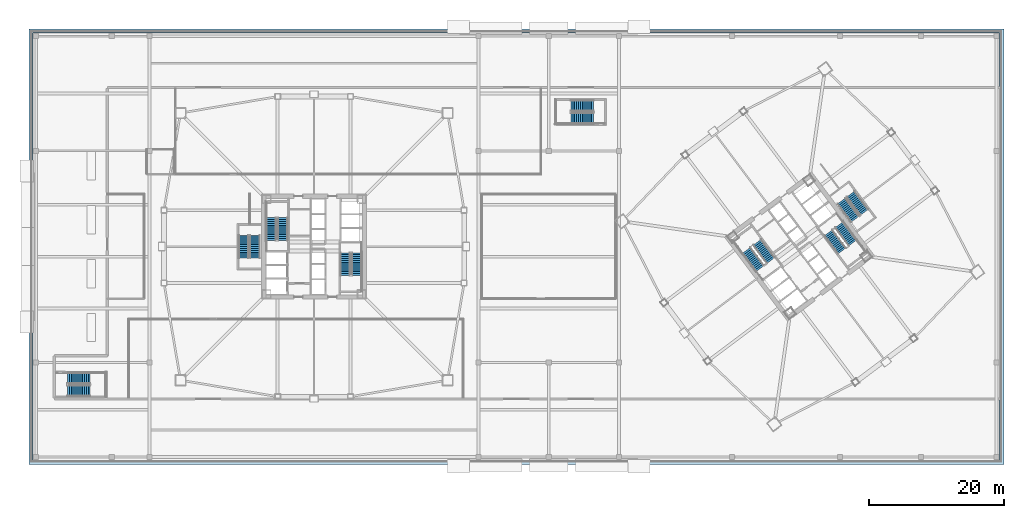
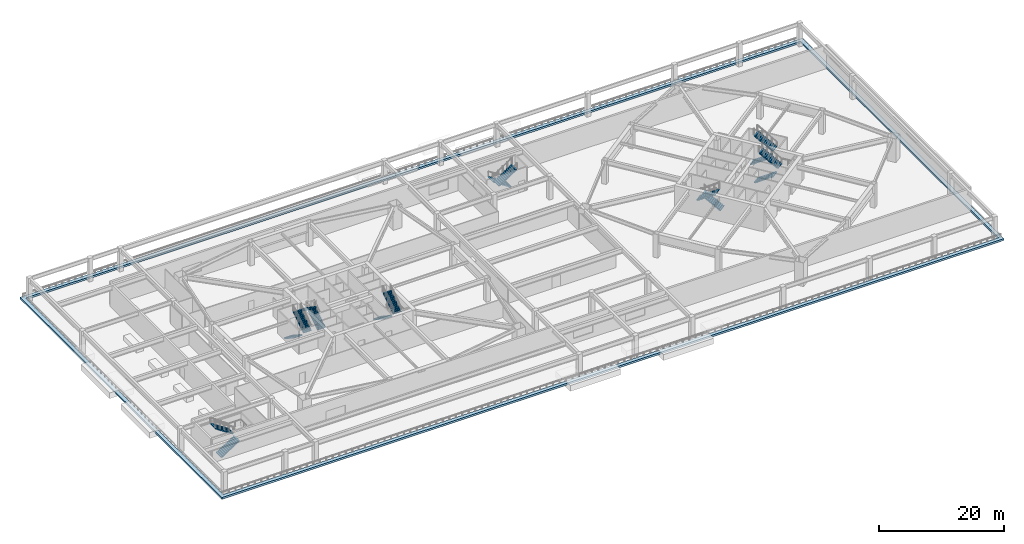
# One storey, part 12 of 21: 16 stair flights, 1 roof, 8 elements without a shape of their own.
"""IFC4 building model written with IfcOpenShell, lengths in metres."""

from ifc_helpers import new_model, si_unit, direction, frame, origin, place, context, subcontext, project, spatial, polyline, outline, extrude, material, layer, layer_set, type_object, element, aggregate, save


model = new_model("IFC4")

# Units and contexts
model_context = context("Model", 3, precision=1e-05, world=origin(), true_north=direction((0.0, 1.0)))
body_context = subcontext(model_context, "Body", "Model", "MODEL_VIEW")
ifc_project = project(units=[si_unit("LENGTHUNIT", "METRE"), si_unit("AREAUNIT", "SQUARE_METRE"), si_unit("VOLUMEUNIT", "CUBIC_METRE"), si_unit("PLANEANGLEUNIT", "RADIAN"), si_unit("MASSUNIT", "GRAM", prefix="KILO")], contexts=[model_context])

# Site, building, storey
site_placement = place(None, origin())
site = spatial("IfcSite", under=ifc_project, at=site_placement, CompositionType="ELEMENT")
building_placement = place(site_placement, origin())
building = spatial("IfcBuilding", under=site, at=building_placement, Name="Tashvorn Skyway Center", CompositionType="ELEMENT")
storey_placement = place(building_placement, frame((0.0, 0.0, 19.800048828125)))
storey = spatial("IfcBuildingStorey", under=building, at=storey_placement, Name="L04", CompositionType="ELEMENT", Elevation=19.800048828125)

# Stair, stair flights
ifc_material_1 = material(Name="Concrete C40/50", Category="concrete")
stair_type_1 = type_object("IfcStairType", Name="STAIR-CORE-1500", PredefinedType="HALF_TURN_STAIR", material=ifc_material_1)
stair_1_placement = place(storey_placement, origin())
stair_1 = element("IfcStair", 1, at=stair_1_placement, inside=storey, type_object=stair_type_1, Name="L04 Tower 1 Exit Stair 1", PredefinedType="HALF_TURN_STAIR")
stair_flight_type_1 = type_object("IfcStairFlightType", Name="SFLIGHT-1500", PredefinedType="STRAIGHT", material=ifc_material_1)
stair_flight_1_placement = place(storey_placement, frame((37.35009765625, 32.919921875, 0.0), z_axis=(0.0, 0.0, 1.0), x_axis=(0.0, 1.0, 0.0)))
stair_flight_1 = element("IfcStairFlight", 2, at=stair_flight_1_placement, type_object=stair_flight_type_1, Name="ST-T1-1 flight 1", NumberOfRisers=13, NumberOfTreads=12, PredefinedType="STRAIGHT", RiserHeight=0.184615385, TreadLength=0.28, context=body_context, shape_type="SweptSolid", body=[
    extrude(outline(polyline([(0.0, 0.0), (0.0, 0.1845703125), (0.280029296875, 0.1845703125), (0.280029296875, 0.369140625), (0.56005859375, 0.369140625), (0.56005859375, 0.553955078125), (0.840087890625, 0.553955078125), (0.840087890625, 0.738525390625), (1.1201171875, 0.738525390625), (1.1201171875, 0.923095703125), (1.39990234375, 0.923095703125), (1.39990234375, 1.107666015625), (1.679931640625, 1.107666015625), (1.679931640625, 1.292236328125), (1.9599609375, 1.292236328125), (1.9599609375, 1.476806640625), (2.239990234375, 1.476806640625), (2.239990234375, 1.66162109375), (2.52001953125, 1.66162109375), (2.52001953125, 1.84619140625), (2.800048828125, 1.84619140625), (2.800048828125, 2.03076171875), (3.080078125, 2.03076171875), (3.080078125, 2.21533203125), (3.360107421875, 2.21533203125), (3.360107421875, 2.39990234375), (3.360107421875, 2.035888671875), (0.272216796875, 0.0), (0.0, 0.0)])), frame((0.0, 0.75, 0.0), z_axis=(0.0, -1.0, 0.0), x_axis=(1.0, 0.0, 0.0)), (0.0, 0.0, 1.0), 1.5),
])
stair_flight_2_placement = place(storey_placement, frame((35.64990234375, 36.280029296875, 2.39990234375), z_axis=(0.0, 0.0, 1.0), x_axis=(0.0, -1.0, 0.0)))
stair_flight_2 = element("IfcStairFlight", 3, at=stair_flight_2_placement, type_object=stair_flight_type_1, Name="ST-T1-1 flight 2", NumberOfRisers=13, NumberOfTreads=12, PredefinedType="STRAIGHT", RiserHeight=0.184615385, TreadLength=0.28, context=body_context, shape_type="SweptSolid", body=[
    extrude(outline(polyline([(0.0, 0.0), (0.0, 0.1845703125), (0.280029296875, 0.1845703125), (0.280029296875, 0.369140625), (0.56005859375, 0.369140625), (0.56005859375, 0.553955078125), (0.840087890625, 0.553955078125), (0.840087890625, 0.738525390625), (1.1201171875, 0.738525390625), (1.1201171875, 0.923095703125), (1.39990234375, 0.923095703125), (1.39990234375, 1.107666015625), (1.679931640625, 1.107666015625), (1.679931640625, 1.292236328125), (1.9599609375, 1.292236328125), (1.9599609375, 1.476806640625), (2.239990234375, 1.476806640625), (2.239990234375, 1.66162109375), (2.52001953125, 1.66162109375), (2.52001953125, 1.84619140625), (2.800048828125, 1.84619140625), (2.800048828125, 2.03076171875), (3.080078125, 2.03076171875), (3.080078125, 2.21533203125), (3.360107421875, 2.21533203125), (3.360107421875, 2.39990234375), (3.360107421875, 2.035888671875), (0.272216796875, 0.0), (0.0, 0.0)])), frame((0.0, 0.75, 0.0), z_axis=(0.0, -1.0, 0.0), x_axis=(1.0, 0.0, 0.0)), (0.0, 0.0, 1.0), 1.5),
])
aggregate(stair_1, [stair_flight_1, stair_flight_2])

stair_2_placement = place(storey_placement, origin())
stair_2 = element("IfcStair", 4, at=stair_2_placement, inside=storey, type_object=stair_type_1, Name="L04 Tower 1 Exit Stair 2", PredefinedType="HALF_TURN_STAIR")
stair_flight_3_placement = place(storey_placement, frame((46.64990234375, 31.080078125, 0.0), z_axis=(0.0, 0.0, 1.0), x_axis=(0.0, -1.0, 0.0)))
stair_flight_3 = element("IfcStairFlight", 5, at=stair_flight_3_placement, type_object=stair_flight_type_1, Name="ST-T1-2 flight 1", NumberOfRisers=13, NumberOfTreads=12, PredefinedType="STRAIGHT", RiserHeight=0.184615385, TreadLength=0.28, context=body_context, shape_type="SweptSolid", body=[
    extrude(outline(polyline([(0.0, 0.0), (0.0, 0.1845703125), (0.280029296875, 0.1845703125), (0.280029296875, 0.369140625), (0.56005859375, 0.369140625), (0.56005859375, 0.553955078125), (0.840087890625, 0.553955078125), (0.840087890625, 0.738525390625), (1.1201171875, 0.738525390625), (1.1201171875, 0.923095703125), (1.39990234375, 0.923095703125), (1.39990234375, 1.107666015625), (1.679931640625, 1.107666015625), (1.679931640625, 1.292236328125), (1.9599609375, 1.292236328125), (1.9599609375, 1.476806640625), (2.239990234375, 1.476806640625), (2.239990234375, 1.66162109375), (2.52001953125, 1.66162109375), (2.52001953125, 1.84619140625), (2.800048828125, 1.84619140625), (2.800048828125, 2.03076171875), (3.080078125, 2.03076171875), (3.080078125, 2.21533203125), (3.360107421875, 2.21533203125), (3.360107421875, 2.39990234375), (3.360107421875, 2.035888671875), (0.272216796875, 0.0), (0.0, 0.0)])), frame((0.0, 0.75, 0.0), z_axis=(0.0, -1.0, 0.0), x_axis=(1.0, 0.0, 0.0)), (0.0, 0.0, 1.0), 1.5),
])
stair_flight_4_placement = place(storey_placement, frame((48.35009765625, 27.719970703125, 2.39990234375), z_axis=(0.0, 0.0, 1.0), x_axis=(0.0, 1.0, 0.0)))
stair_flight_4 = element("IfcStairFlight", 6, at=stair_flight_4_placement, type_object=stair_flight_type_1, Name="ST-T1-2 flight 2", NumberOfRisers=13, NumberOfTreads=12, PredefinedType="STRAIGHT", RiserHeight=0.184615385, TreadLength=0.28, context=body_context, shape_type="SweptSolid", body=[
    extrude(outline(polyline([(0.0, 0.0), (0.0, 0.1845703125), (0.280029296875, 0.1845703125), (0.280029296875, 0.369140625), (0.56005859375, 0.369140625), (0.56005859375, 0.553955078125), (0.840087890625, 0.553955078125), (0.840087890625, 0.738525390625), (1.1201171875, 0.738525390625), (1.1201171875, 0.923095703125), (1.39990234375, 0.923095703125), (1.39990234375, 1.107666015625), (1.679931640625, 1.107666015625), (1.679931640625, 1.292236328125), (1.9599609375, 1.292236328125), (1.9599609375, 1.476806640625), (2.239990234375, 1.476806640625), (2.239990234375, 1.66162109375), (2.52001953125, 1.66162109375), (2.52001953125, 1.84619140625), (2.800048828125, 1.84619140625), (2.800048828125, 2.03076171875), (3.080078125, 2.03076171875), (3.080078125, 2.21533203125), (3.360107421875, 2.21533203125), (3.360107421875, 2.39990234375), (3.360107421875, 2.035888671875), (0.272216796875, 0.0), (0.0, 0.0)])), frame((0.0, 0.75, 0.0), z_axis=(0.0, -1.0, 0.0), x_axis=(1.0, 0.0, 0.0)), (0.0, 0.0, 1.0), 1.5),
])
aggregate(stair_2, [stair_flight_3, stair_flight_4])

stair_3_placement = place(storey_placement, origin())
stair_3 = element("IfcStair", 7, at=stair_3_placement, inside=storey, type_object=stair_type_1, Name="L04 Tower 2 Exit Stair 1", PredefinedType="HALF_TURN_STAIR")
stair_flight_5_placement = place(storey_placement, frame((109.72802734375, 29.946044921875, 0.0), z_axis=(0.0, 0.0, 1.0), x_axis=(-0.600000004945, 0.799999996291, 0.0)))
stair_flight_5 = element("IfcStairFlight", 8, at=stair_flight_5_placement, type_object=stair_flight_type_1, Name="ST-T2-1 flight 1", NumberOfRisers=13, NumberOfTreads=12, PredefinedType="STRAIGHT", RiserHeight=0.184615385, TreadLength=0.28, context=body_context, shape_type="SweptSolid", body=[
    extrude(outline(polyline([(0.0, 0.0), (0.0, 0.1845703125), (0.280029296875, 0.1845703125), (0.280029296875, 0.369140625), (0.56005859375, 0.369140625), (0.56005859375, 0.553955078125), (0.840087890625, 0.553955078125), (0.840087890625, 0.738525390625), (1.1201171875, 0.738525390625), (1.1201171875, 0.923095703125), (1.39990234375, 0.923095703125), (1.39990234375, 1.107666015625), (1.679931640625, 1.107666015625), (1.679931640625, 1.292236328125), (1.9599609375, 1.292236328125), (1.9599609375, 1.476806640625), (2.239990234375, 1.476806640625), (2.239990234375, 1.66162109375), (2.52001953125, 1.66162109375), (2.52001953125, 1.84619140625), (2.800048828125, 1.84619140625), (2.800048828125, 2.03076171875), (3.080078125, 2.03076171875), (3.080078125, 2.21533203125), (3.360107421875, 2.21533203125), (3.360107421875, 2.39990234375), (3.360107421875, 2.035888671875), (0.272216796875, 0.0), (0.0, 0.0)])), frame((0.0, 0.75, 0.0), z_axis=(0.0, -1.0, 0.0), x_axis=(1.0, 0.0, 0.0)), (0.0, 0.0, 1.0), 1.5),
])
stair_flight_6_placement = place(storey_placement, frame((106.1279296875, 31.446044921875, 2.39990234375), z_axis=(0.0, 0.0, 1.0), x_axis=(0.600000004945, -0.799999996291, 0.0)))
stair_flight_6 = element("IfcStairFlight", 9, at=stair_flight_6_placement, type_object=stair_flight_type_1, Name="ST-T2-1 flight 2", NumberOfRisers=13, NumberOfTreads=12, PredefinedType="STRAIGHT", RiserHeight=0.184615385, TreadLength=0.28, context=body_context, shape_type="SweptSolid", body=[
    extrude(outline(polyline([(0.0, 0.0), (0.0, 0.1845703125), (0.280029296875, 0.1845703125), (0.280029296875, 0.369140625), (0.56005859375, 0.369140625), (0.56005859375, 0.553955078125), (0.840087890625, 0.553955078125), (0.840087890625, 0.738525390625), (1.1201171875, 0.738525390625), (1.1201171875, 0.923095703125), (1.39990234375, 0.923095703125), (1.39990234375, 1.107666015625), (1.679931640625, 1.107666015625), (1.679931640625, 1.292236328125), (1.9599609375, 1.292236328125), (1.9599609375, 1.476806640625), (2.239990234375, 1.476806640625), (2.239990234375, 1.66162109375), (2.52001953125, 1.66162109375), (2.52001953125, 1.84619140625), (2.800048828125, 1.84619140625), (2.800048828125, 2.03076171875), (3.080078125, 2.03076171875), (3.080078125, 2.21533203125), (3.360107421875, 2.21533203125), (3.360107421875, 2.39990234375), (3.360107421875, 2.035888671875), (0.272216796875, 0.0), (0.0, 0.0)])), frame((0.0, 0.75, 0.0), z_axis=(0.0, -1.0, 0.0), x_axis=(1.0, 0.0, 0.0)), (0.0, 0.0, 1.0), 1.5),
])
aggregate(stair_3, [stair_flight_5, stair_flight_6])

stair_4_placement = place(storey_placement, origin())
stair_4 = element("IfcStair", 10, at=stair_4_placement, inside=storey, type_object=stair_type_1, Name="L04 Tower 2 Exit Stair 2", PredefinedType="HALF_TURN_STAIR")
stair_flight_7_placement = place(storey_placement, frame((118.27197265625, 34.053955078125, 0.0), z_axis=(0.0, 0.0, 1.0), x_axis=(0.600000004945, -0.799999996291, 0.0)))
stair_flight_7 = element("IfcStairFlight", 11, at=stair_flight_7_placement, type_object=stair_flight_type_1, Name="ST-T2-2 flight 1", NumberOfRisers=13, NumberOfTreads=12, PredefinedType="STRAIGHT", RiserHeight=0.184615385, TreadLength=0.28, context=body_context, shape_type="SweptSolid", body=[
    extrude(outline(polyline([(0.0, 0.0), (0.0, 0.1845703125), (0.280029296875, 0.1845703125), (0.280029296875, 0.369140625), (0.56005859375, 0.369140625), (0.56005859375, 0.553955078125), (0.840087890625, 0.553955078125), (0.840087890625, 0.738525390625), (1.1201171875, 0.738525390625), (1.1201171875, 0.923095703125), (1.39990234375, 0.923095703125), (1.39990234375, 1.107666015625), (1.679931640625, 1.107666015625), (1.679931640625, 1.292236328125), (1.9599609375, 1.292236328125), (1.9599609375, 1.476806640625), (2.239990234375, 1.476806640625), (2.239990234375, 1.66162109375), (2.52001953125, 1.66162109375), (2.52001953125, 1.84619140625), (2.800048828125, 1.84619140625), (2.800048828125, 2.03076171875), (3.080078125, 2.03076171875), (3.080078125, 2.21533203125), (3.360107421875, 2.21533203125), (3.360107421875, 2.39990234375), (3.360107421875, 2.035888671875), (0.272216796875, 0.0), (0.0, 0.0)])), frame((0.0, 0.75, 0.0), z_axis=(0.0, -1.0, 0.0), x_axis=(1.0, 0.0, 0.0)), (0.0, 0.0, 1.0), 1.5),
])
stair_flight_8_placement = place(storey_placement, frame((121.8720703125, 32.553955078125, 2.39990234375), z_axis=(0.0, 0.0, 1.0), x_axis=(-0.600000004945, 0.799999996291, 0.0)))
stair_flight_8 = element("IfcStairFlight", 12, at=stair_flight_8_placement, type_object=stair_flight_type_1, Name="ST-T2-2 flight 2", NumberOfRisers=13, NumberOfTreads=12, PredefinedType="STRAIGHT", RiserHeight=0.184615385, TreadLength=0.28, context=body_context, shape_type="SweptSolid", body=[
    extrude(outline(polyline([(0.0, 0.0), (0.0, 0.1845703125), (0.280029296875, 0.1845703125), (0.280029296875, 0.369140625), (0.56005859375, 0.369140625), (0.56005859375, 0.553955078125), (0.840087890625, 0.553955078125), (0.840087890625, 0.738525390625), (1.1201171875, 0.738525390625), (1.1201171875, 0.923095703125), (1.39990234375, 0.923095703125), (1.39990234375, 1.107666015625), (1.679931640625, 1.107666015625), (1.679931640625, 1.292236328125), (1.9599609375, 1.292236328125), (1.9599609375, 1.476806640625), (2.239990234375, 1.476806640625), (2.239990234375, 1.66162109375), (2.52001953125, 1.66162109375), (2.52001953125, 1.84619140625), (2.800048828125, 1.84619140625), (2.800048828125, 2.03076171875), (3.080078125, 2.03076171875), (3.080078125, 2.21533203125), (3.360107421875, 2.21533203125), (3.360107421875, 2.39990234375), (3.360107421875, 2.035888671875), (0.272216796875, 0.0), (0.0, 0.0)])), frame((0.0, 0.75, 0.0), z_axis=(0.0, -1.0, 0.0), x_axis=(1.0, 0.0, 0.0)), (0.0, 0.0, 1.0), 1.5),
])
aggregate(stair_4, [stair_flight_7, stair_flight_8])

stair_5_placement = place(storey_placement, origin())
stair_5 = element("IfcStair", 13, at=stair_5_placement, inside=storey, type_object=stair_type_1, Name="L04 Tower 1 Exit Stair 3", PredefinedType="HALF_TURN_STAIR")
stair_flight_9_placement = place(storey_placement, frame((31.550048828125, 33.679931640625, 0.0), z_axis=(0.0, 0.0, 1.0), x_axis=(0.0, -1.0, 0.0)))
stair_flight_9 = element("IfcStairFlight", 14, at=stair_flight_9_placement, type_object=stair_flight_type_1, Name="ST-T1-3 flight 1", NumberOfRisers=13, NumberOfTreads=12, PredefinedType="STRAIGHT", RiserHeight=0.184615385, TreadLength=0.28, context=body_context, shape_type="SweptSolid", body=[
    extrude(outline(polyline([(0.0, 0.0), (0.0, 0.1845703125), (0.280029296875, 0.1845703125), (0.280029296875, 0.369140625), (0.56005859375, 0.369140625), (0.56005859375, 0.553955078125), (0.840087890625, 0.553955078125), (0.840087890625, 0.738525390625), (1.1201171875, 0.738525390625), (1.1201171875, 0.923095703125), (1.39990234375, 0.923095703125), (1.39990234375, 1.107666015625), (1.679931640625, 1.107666015625), (1.679931640625, 1.292236328125), (1.9599609375, 1.292236328125), (1.9599609375, 1.476806640625), (2.239990234375, 1.476806640625), (2.239990234375, 1.66162109375), (2.52001953125, 1.66162109375), (2.52001953125, 1.84619140625), (2.800048828125, 1.84619140625), (2.800048828125, 2.03076171875), (3.080078125, 2.03076171875), (3.080078125, 2.21533203125), (3.360107421875, 2.21533203125), (3.360107421875, 2.39990234375), (3.360107421875, 2.035888671875), (0.272216796875, 0.0), (0.0, 0.0)])), frame((0.0, 0.75, 0.0), z_axis=(0.0, -1.0, 0.0), x_axis=(1.0, 0.0, 0.0)), (0.0, 0.0, 1.0), 1.5),
])
stair_flight_10_placement = place(storey_placement, frame((33.25, 30.320068359375, 2.39990234375), z_axis=(0.0, 0.0, 1.0), x_axis=(0.0, 1.0, 0.0)))
stair_flight_10 = element("IfcStairFlight", 15, at=stair_flight_10_placement, type_object=stair_flight_type_1, Name="ST-T1-3 flight 2", NumberOfRisers=13, NumberOfTreads=12, PredefinedType="STRAIGHT", RiserHeight=0.184615385, TreadLength=0.28, context=body_context, shape_type="SweptSolid", body=[
    extrude(outline(polyline([(0.0, 0.0), (0.0, 0.1845703125), (0.280029296875, 0.1845703125), (0.280029296875, 0.369140625), (0.56005859375, 0.369140625), (0.56005859375, 0.553955078125), (0.840087890625, 0.553955078125), (0.840087890625, 0.738525390625), (1.1201171875, 0.738525390625), (1.1201171875, 0.923095703125), (1.39990234375, 0.923095703125), (1.39990234375, 1.107666015625), (1.679931640625, 1.107666015625), (1.679931640625, 1.292236328125), (1.9599609375, 1.292236328125), (1.9599609375, 1.476806640625), (2.239990234375, 1.476806640625), (2.239990234375, 1.66162109375), (2.52001953125, 1.66162109375), (2.52001953125, 1.84619140625), (2.800048828125, 1.84619140625), (2.800048828125, 2.03076171875), (3.080078125, 2.03076171875), (3.080078125, 2.21533203125), (3.360107421875, 2.21533203125), (3.360107421875, 2.39990234375), (3.360107421875, 2.035888671875), (0.272216796875, 0.0), (0.0, 0.0)])), frame((0.0, 0.75, 0.0), z_axis=(0.0, -1.0, 0.0), x_axis=(1.0, 0.0, 0.0)), (0.0, 0.0, 1.0), 1.5),
])
aggregate(stair_5, [stair_flight_9, stair_flight_10])

stair_6_placement = place(storey_placement, origin())
stair_6 = element("IfcStair", 16, at=stair_6_placement, inside=storey, type_object=stair_type_1, Name="L04 Tower 2 Exit Stair 3", PredefinedType="HALF_TURN_STAIR")
stair_flight_11_placement = place(storey_placement, frame((120.216064453125, 38.761962890625, 0.0), z_axis=(0.0, 0.0, 1.0), x_axis=(0.600000004945, -0.799999996291, 0.0)))
stair_flight_11 = element("IfcStairFlight", 17, at=stair_flight_11_placement, type_object=stair_flight_type_1, Name="ST-T2-3 flight 1", NumberOfRisers=13, NumberOfTreads=12, PredefinedType="STRAIGHT", RiserHeight=0.184615385, TreadLength=0.28, context=body_context, shape_type="SweptSolid", body=[
    extrude(outline(polyline([(0.0, 0.0), (0.0, 0.1845703125), (0.280029296875, 0.1845703125), (0.280029296875, 0.369140625), (0.56005859375, 0.369140625), (0.56005859375, 0.553955078125), (0.840087890625, 0.553955078125), (0.840087890625, 0.738525390625), (1.1201171875, 0.738525390625), (1.1201171875, 0.923095703125), (1.39990234375, 0.923095703125), (1.39990234375, 1.107666015625), (1.679931640625, 1.107666015625), (1.679931640625, 1.292236328125), (1.9599609375, 1.292236328125), (1.9599609375, 1.476806640625), (2.239990234375, 1.476806640625), (2.239990234375, 1.66162109375), (2.52001953125, 1.66162109375), (2.52001953125, 1.84619140625), (2.800048828125, 1.84619140625), (2.800048828125, 2.03076171875), (3.080078125, 2.03076171875), (3.080078125, 2.21533203125), (3.360107421875, 2.21533203125), (3.360107421875, 2.39990234375), (3.360107421875, 2.035888671875), (0.272216796875, 0.0), (0.0, 0.0)])), frame((0.0, 0.75, 0.0), z_axis=(0.0, -1.0, 0.0), x_axis=(1.0, 0.0, 0.0)), (0.0, 0.0, 1.0), 1.5),
])
stair_flight_12_placement = place(storey_placement, frame((123.592041015625, 37.093994140625, 2.39990234375), z_axis=(0.0, 0.0, 1.0), x_axis=(-0.600000004945, 0.799999996291, 0.0)))
stair_flight_12 = element("IfcStairFlight", 18, at=stair_flight_12_placement, type_object=stair_flight_type_1, Name="ST-T2-3 flight 2", NumberOfRisers=13, NumberOfTreads=12, PredefinedType="STRAIGHT", RiserHeight=0.184615385, TreadLength=0.28, context=body_context, shape_type="SweptSolid", body=[
    extrude(outline(polyline([(0.0, 0.0), (0.0, 0.1845703125), (0.280029296875, 0.1845703125), (0.280029296875, 0.369140625), (0.56005859375, 0.369140625), (0.56005859375, 0.553955078125), (0.840087890625, 0.553955078125), (0.840087890625, 0.738525390625), (1.1201171875, 0.738525390625), (1.1201171875, 0.923095703125), (1.39990234375, 0.923095703125), (1.39990234375, 1.107666015625), (1.679931640625, 1.107666015625), (1.679931640625, 1.292236328125), (1.9599609375, 1.292236328125), (1.9599609375, 1.476806640625), (2.239990234375, 1.476806640625), (2.239990234375, 1.66162109375), (2.52001953125, 1.66162109375), (2.52001953125, 1.84619140625), (2.800048828125, 1.84619140625), (2.800048828125, 2.03076171875), (3.080078125, 2.03076171875), (3.080078125, 2.21533203125), (3.360107421875, 2.21533203125), (3.360107421875, 2.39990234375), (3.360107421875, 2.035888671875), (0.272216796875, 0.0), (0.0, 0.0)])), frame((0.0, 0.75, 0.0), z_axis=(0.0, -1.0, 0.0), x_axis=(1.0, 0.0, 0.0)), (0.0, 0.0, 1.0), 1.5),
])
aggregate(stair_6, [stair_flight_11, stair_flight_12])

stair_type_2 = type_object("IfcStairType", Name="STAIR-POD-1650", PredefinedType="HALF_TURN_STAIR", material=ifc_material_1)
stair_7_placement = place(storey_placement, origin())
stair_7 = element("IfcStair", 19, at=stair_7_placement, inside=storey, type_object=stair_type_2, Name="L04 Podium West Exit Stair 1", PredefinedType="HALF_TURN_STAIR")
stair_flight_type_2 = type_object("IfcStairFlightType", Name="SFLIGHT-1650", PredefinedType="STRAIGHT", material=ifc_material_1)
stair_flight_13_placement = place(storey_placement, frame((5.449951171875, 10.625, 0.0), z_axis=(0.0, 0.0, 1.0), x_axis=(1.0, 0.0, 0.0)))
stair_flight_13 = element("IfcStairFlight", 20, at=stair_flight_13_placement, type_object=stair_flight_type_2, Name="ST-POD-1 flight 1", NumberOfRisers=13, NumberOfTreads=12, PredefinedType="STRAIGHT", RiserHeight=0.184615385, TreadLength=0.28, context=body_context, shape_type="SweptSolid", body=[
    extrude(outline(polyline([(0.0, 0.0), (0.0, 0.1845703125), (0.280029296875, 0.1845703125), (0.280029296875, 0.369140625), (0.56005859375, 0.369140625), (0.56005859375, 0.553955078125), (0.840087890625, 0.553955078125), (0.840087890625, 0.738525390625), (1.1201171875, 0.738525390625), (1.1201171875, 0.923095703125), (1.39990234375, 0.923095703125), (1.39990234375, 1.107666015625), (1.679931640625, 1.107666015625), (1.679931640625, 1.292236328125), (1.9599609375, 1.292236328125), (1.9599609375, 1.476806640625), (2.239990234375, 1.476806640625), (2.239990234375, 1.66162109375), (2.52001953125, 1.66162109375), (2.52001953125, 1.84619140625), (2.800048828125, 1.84619140625), (2.800048828125, 2.03076171875), (3.080078125, 2.03076171875), (3.080078125, 2.21533203125), (3.360107421875, 2.21533203125), (3.360107421875, 2.39990234375), (3.360107421875, 2.035888671875), (0.272216796875, 0.0), (0.0, 0.0)])), frame((0.0, 0.824951171875, 0.0), z_axis=(0.0, -1.0, 0.0), x_axis=(1.0, 0.0, 0.0)), (0.0, 0.0, 1.0), 1.64990234375),
])
stair_flight_14_placement = place(storey_placement, frame((8.81005859375, 12.47509765625, 2.39990234375), z_axis=(0.0, 0.0, 1.0), x_axis=(-1.0, 0.0, 0.0)))
stair_flight_14 = element("IfcStairFlight", 21, at=stair_flight_14_placement, type_object=stair_flight_type_2, Name="ST-POD-1 flight 2", NumberOfRisers=13, NumberOfTreads=12, PredefinedType="STRAIGHT", RiserHeight=0.184615385, TreadLength=0.28, context=body_context, shape_type="SweptSolid", body=[
    extrude(outline(polyline([(0.0, 0.0), (0.0, 0.1845703125), (0.280029296875, 0.1845703125), (0.280029296875, 0.369140625), (0.56005859375, 0.369140625), (0.56005859375, 0.553955078125), (0.840087890625, 0.553955078125), (0.840087890625, 0.738525390625), (1.1201171875, 0.738525390625), (1.1201171875, 0.923095703125), (1.39990234375, 0.923095703125), (1.39990234375, 1.107666015625), (1.679931640625, 1.107666015625), (1.679931640625, 1.292236328125), (1.9599609375, 1.292236328125), (1.9599609375, 1.476806640625), (2.239990234375, 1.476806640625), (2.239990234375, 1.66162109375), (2.52001953125, 1.66162109375), (2.52001953125, 1.84619140625), (2.800048828125, 1.84619140625), (2.800048828125, 2.03076171875), (3.080078125, 2.03076171875), (3.080078125, 2.21533203125), (3.360107421875, 2.21533203125), (3.360107421875, 2.39990234375), (3.360107421875, 2.035888671875), (0.272216796875, 0.0), (0.0, 0.0)])), frame((0.0, 0.824951171875, 0.0), z_axis=(0.0, -1.0, 0.0), x_axis=(1.0, 0.0, 0.0)), (0.0, 0.0, 1.0), 1.64990234375),
])
aggregate(stair_7, [stair_flight_13, stair_flight_14])

stair_8_placement = place(storey_placement, origin())
stair_8 = element("IfcStair", 22, at=stair_8_placement, inside=storey, type_object=stair_type_2, Name="L04 Podium East Exit Stair 2", PredefinedType="HALF_TURN_STAIR")
stair_flight_15_placement = place(storey_placement, frame((83.449951171875, 52.875, 0.0), z_axis=(0.0, 0.0, 1.0), x_axis=(-1.0, 0.0, 0.0)))
stair_flight_15 = element("IfcStairFlight", 23, at=stair_flight_15_placement, type_object=stair_flight_type_2, Name="ST-POD-2 flight 1", NumberOfRisers=13, NumberOfTreads=12, PredefinedType="STRAIGHT", RiserHeight=0.184615385, TreadLength=0.28, context=body_context, shape_type="SweptSolid", body=[
    extrude(outline(polyline([(0.0, 0.0), (0.0, 0.1845703125), (0.280029296875, 0.1845703125), (0.280029296875, 0.369140625), (0.56005859375, 0.369140625), (0.56005859375, 0.553955078125), (0.840087890625, 0.553955078125), (0.840087890625, 0.738525390625), (1.1201171875, 0.738525390625), (1.1201171875, 0.923095703125), (1.39990234375, 0.923095703125), (1.39990234375, 1.107666015625), (1.679931640625, 1.107666015625), (1.679931640625, 1.292236328125), (1.9599609375, 1.292236328125), (1.9599609375, 1.476806640625), (2.239990234375, 1.476806640625), (2.239990234375, 1.66162109375), (2.52001953125, 1.66162109375), (2.52001953125, 1.84619140625), (2.800048828125, 1.84619140625), (2.800048828125, 2.03076171875), (3.080078125, 2.03076171875), (3.080078125, 2.21533203125), (3.360107421875, 2.21533203125), (3.360107421875, 2.39990234375), (3.360107421875, 2.035888671875), (0.272216796875, 0.0), (0.0, 0.0)])), frame((0.0, 0.824951171875, 0.0), z_axis=(0.0, -1.0, 0.0), x_axis=(1.0, 0.0, 0.0)), (0.0, 0.0, 1.0), 1.64990234375),
])
stair_flight_16_placement = place(storey_placement, frame((80.090087890625, 51.02490234375, 2.39990234375), z_axis=(0.0, 0.0, 1.0), x_axis=(1.0, 0.0, 0.0)))
stair_flight_16 = element("IfcStairFlight", 24, at=stair_flight_16_placement, type_object=stair_flight_type_2, Name="ST-POD-2 flight 2", NumberOfRisers=13, NumberOfTreads=12, PredefinedType="STRAIGHT", RiserHeight=0.184615385, TreadLength=0.28, context=body_context, shape_type="SweptSolid", body=[
    extrude(outline(polyline([(0.0, 0.0), (0.0, 0.1845703125), (0.280029296875, 0.1845703125), (0.280029296875, 0.369140625), (0.56005859375, 0.369140625), (0.56005859375, 0.553955078125), (0.840087890625, 0.553955078125), (0.840087890625, 0.738525390625), (1.1201171875, 0.738525390625), (1.1201171875, 0.923095703125), (1.39990234375, 0.923095703125), (1.39990234375, 1.107666015625), (1.679931640625, 1.107666015625), (1.679931640625, 1.292236328125), (1.9599609375, 1.292236328125), (1.9599609375, 1.476806640625), (2.239990234375, 1.476806640625), (2.239990234375, 1.66162109375), (2.52001953125, 1.66162109375), (2.52001953125, 1.84619140625), (2.800048828125, 1.84619140625), (2.800048828125, 2.03076171875), (3.080078125, 2.03076171875), (3.080078125, 2.21533203125), (3.360107421875, 2.21533203125), (3.360107421875, 2.39990234375), (3.360107421875, 2.035888671875), (0.272216796875, 0.0), (0.0, 0.0)])), frame((0.0, 0.824951171875, 0.0), z_axis=(0.0, -1.0, 0.0), x_axis=(1.0, 0.0, 0.0)), (0.0, 0.0, 1.0), 1.64990234375),
])
aggregate(stair_8, [stair_flight_15, stair_flight_16])

# Roof
ifc_material_2 = material(Name="Architectural glazed Mojave terracotta roof and cornice system", Category="masonry")
ifc_layer = layer(ifc_material_2, 0.360107421875)
ifc_layer_set = layer_set([ifc_layer], Name="Architectural glazed Mojave terracotta roof and cornice system")
roof_type = type_object("IfcRoofType", Name="ROOF-PM-CORNICE", PredefinedType="GABLE_ROOF", material=ifc_layer_set)
roof_placement = place(storey_placement, origin())
element("IfcRoof", 25, at=roof_placement, inside=storey, type_object=roof_type, Name="Postmodern Terracotta Podium Cornice Frieze 3", PredefinedType="GABLE_ROOF", context=body_context, shape_type="SweptSolid", body=[
    extrude(outline(polyline([(-0.300048828125, -0.300048828125), (144.300048828125, -0.300048828125), (144.300048828125, 64.300048828125), (-0.300048828125, 64.300048828125), (-0.300048828125, -0.300048828125)]), holes=[polyline([(0.35009765625, 0.35009765625), (143.64990234375, 0.35009765625), (143.64990234375, 63.64990234375), (0.35009765625, 63.64990234375), (0.35009765625, 0.35009765625)])]), origin(), (0.0, 0.0, 1.0), 0.35986328125),
])

save(model, "model.ifc")
